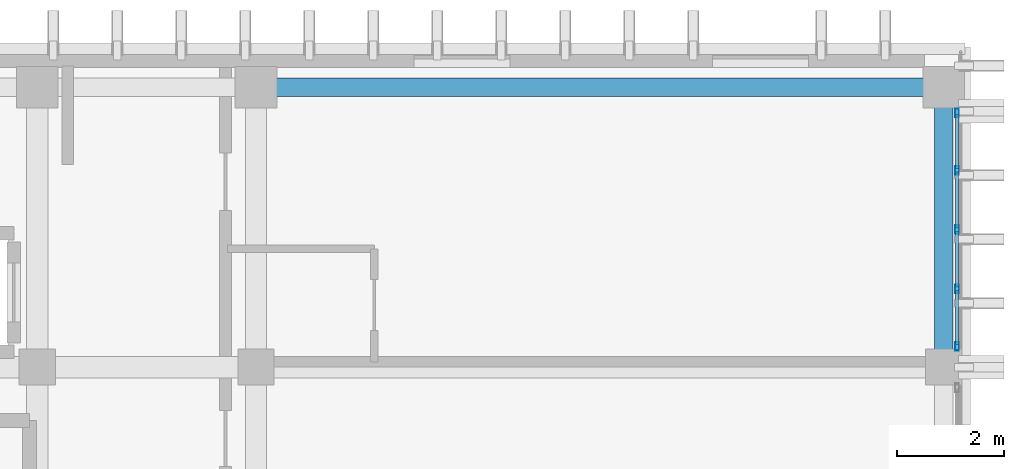
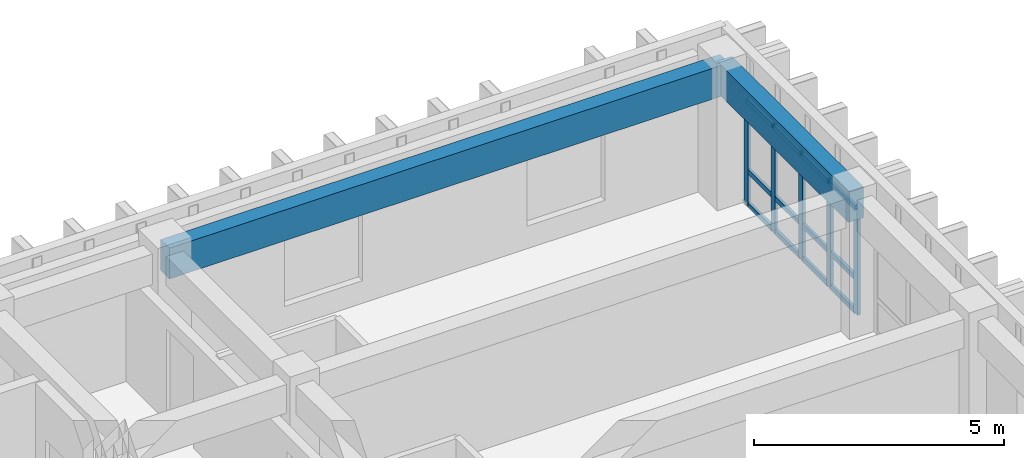
# One storey, part 51 of 68: 17 members, 2 beams, 1 element without a shape of its own.
"""IFC4 building model written with IfcOpenShell, lengths in metres."""

import ifcopenshell
import ifcopenshell.guid

model = None  # the IFC model being written
_history = None  # IfcOwnerHistory: only IFC2X3 demands one
_inside = {}  # id of a spatial element -> (the spatial element, [elements in it])
_under = {}  # id of a project, library or spatial element -> (it, [spatial elements below it])
_declared = {}  # id of a project -> (the project, [libraries it declares])
_typed = {}  # id of a type object -> (the type object, [elements of that type])
_made_of = {}  # id of a material, layer set ... -> (it, [elements and type objects made of it])


def new_model(schema):
    """Start an empty IFC model of exactly this schema.

    Asked for "IFC4X3", IfcOpenShell would pick the latest addendum, in which some entities
    have other attributes; the version numbers below select the first issue.
    IFC2X3 requires an IfcOwnerHistory on every rooted entity: one is made here for all.
    """
    global model, _history
    if schema == "IFC4X3":
        model = ifcopenshell.file(schema_version=(4, 3, 0, 0))
    else:
        model = ifcopenshell.file(schema=schema)
    _inside.clear()
    _under.clear()
    _declared.clear()
    _typed.clear()
    _made_of.clear()
    _history = None
    if model.schema == "IFC2X3":
        org = make("IfcOrganization", Name="unknown")
        user = make(
            "IfcPersonAndOrganization",
            ThePerson=make("IfcPerson", FamilyName="unknown"),
            TheOrganization=org,
        )
        app = make(
            "IfcApplication",
            ApplicationDeveloper=org,
            Version="unknown",
            ApplicationFullName="unknown",
            ApplicationIdentifier="unknown",
        )
        _history = make(
            "IfcOwnerHistory",
            OwningUser=user,
            OwningApplication=app,
            ChangeAction="ADDED",
            CreationDate=0,
        )
    return model


def make(cls, **values):
    """One entity of the class cls with the attributes given. An attribute that is None is left unset."""
    return model.create_entity(
        cls, **{name: value for name, value in values.items() if value is not None}
    )


def rooted(cls, **values):
    """An entity with a GlobalId (a new one), such as an element, a storey or a relation."""
    return make(cls, GlobalId=ifcopenshell.guid.new(), OwnerHistory=_history, **values)


def si_unit(unit_type, name, prefix=None):
    """IfcSIUnit, for example si_unit("LENGTHUNIT", "METRE", prefix="MILLI")."""
    return make("IfcSIUnit", UnitType=unit_type, Prefix=prefix, Name=name)


def assignment(units):
    """IfcUnitAssignment: the units of a project."""
    return None if units is None else make("IfcUnitAssignment", Units=units)


def point(xyz):
    """IfcCartesianPoint."""
    return None if xyz is None else make("IfcCartesianPoint", Coordinates=xyz)


def direction(xyz):
    """IfcDirection."""
    return None if xyz is None else make("IfcDirection", DirectionRatios=xyz)


def frame(location, z_axis=None, x_axis=None):
    """IfcAxis2Placement3D, a coordinate frame: its origin and axes. An axis left out is left unset."""
    return make(
        "IfcAxis2Placement3D",
        Location=point(location),
        Axis=direction(z_axis),
        RefDirection=direction(x_axis),
    )


def frame_2d(location, x_axis=None):
    """IfcAxis2Placement2D, a coordinate frame in the plane: its origin and x axis."""
    return make(
        "IfcAxis2Placement2D", Location=point(location), RefDirection=direction(x_axis)
    )


def origin():
    """The frame at (0, 0, 0) with its axes left unset."""
    return frame((0.0, 0.0, 0.0))


def origin_2d():
    """The frame at (0, 0) in the plane with its x axis left unset."""
    return frame_2d((0.0, 0.0))


def place(relative_to, where):
    """IfcLocalPlacement: puts the frame where relative to a parent placement (None: the world)."""
    return make(
        "IfcLocalPlacement", PlacementRelTo=relative_to, RelativePlacement=where
    )


def context(
    kind, dimensions, precision=None, world=None, true_north=None, identifier=None
):
    """IfcGeometricRepresentationContext, for example the 3D "Model" context."""
    return make(
        "IfcGeometricRepresentationContext",
        ContextIdentifier=identifier,
        ContextType=kind,
        CoordinateSpaceDimension=dimensions,
        Precision=precision,
        WorldCoordinateSystem=world,
        TrueNorth=true_north,
    )


def subcontext(parent, identifier, kind, view, scale=None):
    """IfcGeometricRepresentationSubContext, for example "Body" below "Model"."""
    return make(
        "IfcGeometricRepresentationSubContext",
        ContextIdentifier=identifier,
        ContextType=kind,
        ParentContext=parent,
        TargetScale=scale,
        TargetView=view,
    )


def project(units=None, contexts=None):
    """IfcProject with its units and contexts."""
    return rooted(
        "IfcProject",
        Name="project",
        RepresentationContexts=contexts,
        UnitsInContext=assignment(units),
    )


def spatial(cls, under=None, at=None, **own):
    """A site, building, storey or space (cls), placed at a placement, below another one or the project."""
    s = rooted(cls, ObjectPlacement=at, **own)
    if under is not None:
        _under.setdefault(under.id(), (under, []))[1].append(s)
    return s


def profile(cls, at=None, kind="AREA", **sizes):
    """A parametric profile (cls). Its sizes go by their IFC names, for example OverallWidth=200.0."""
    return make(cls, ProfileType=kind, Position=at, **sizes)


def rectangle(**sizes):
    """IfcRectangleProfileDef."""
    return profile("IfcRectangleProfileDef", **sizes)


def hollow_rectangle(**sizes):
    """IfcRectangleHollowProfileDef."""
    return profile("IfcRectangleHollowProfileDef", **sizes)


def extrude(swept, where, along, depth):
    """IfcExtrudedAreaSolid: the profile swept, set in the frame where, extruded along a direction by depth."""
    return make(
        "IfcExtrudedAreaSolid",
        SweptArea=swept,
        Position=where,
        ExtrudedDirection=direction(along),
        Depth=depth,
    )


def shape(context_of_items, identifier, shape_type, items):
    """IfcShapeRepresentation: the items that make up one representation, for example the "Body"."""
    return make(
        "IfcShapeRepresentation",
        ContextOfItems=context_of_items,
        RepresentationIdentifier=identifier,
        RepresentationType=shape_type,
        Items=items,
    )


def material(Name=None, Category=None):
    """IfcMaterial."""
    return make("IfcMaterial", Name=Name, Category=Category)


def layer(
    of_material, thickness, ventilated=None, Name=None, Category=None, Priority=None
):
    """IfcMaterialLayer: one layer of a wall or slab, of a material (None: an air gap)."""
    return make(
        "IfcMaterialLayer",
        Material=of_material,
        LayerThickness=thickness,
        IsVentilated=ventilated,
        Name=Name,
        Category=Category,
        Priority=Priority,
    )


def layer_set(layers, Name=None):
    """IfcMaterialLayerSet."""
    return make("IfcMaterialLayerSet", MaterialLayers=layers, LayerSetName=Name)


def material_profile(
    of_material, cross_section, Name=None, Category=None, Priority=None
):
    """IfcMaterialProfile: a cross section and its material."""
    return make(
        "IfcMaterialProfile",
        Name=Name,
        Material=of_material,
        Profile=cross_section,
        Priority=Priority,
        Category=Category,
    )


def profile_set(profiles, Name=None, composite=None):
    """IfcMaterialProfileSet."""
    return make(
        "IfcMaterialProfileSet",
        Name=Name,
        MaterialProfiles=profiles,
        CompositeProfile=composite,
    )


def made_of(thing, what):
    """Note that an element or type object is made of a material, layer set ...; save() writes the relation."""
    if what is not None:
        _made_of.setdefault(what.id(), (what, []))[1].append(thing)
    return thing


def type_object(cls, material=None, **own):
    """A type object (cls), such as IfcWallType, which elements share."""
    return made_of(rooted(cls, **own), material)


def element(
    cls,
    number,
    at=None,
    inside=None,
    cuts=None,
    type_object=None,
    material=None,
    context=None,
    identifier="Body",
    shape_type=None,
    held_by="IfcProductDefinitionShape",
    body=None,
    shapes=None,
    **own,
):
    """One element of the class cls, such as IfcWall. Its Tag is "e" and its number.

    at: its placement. inside: the storey or other place that contains it. cuts: it is an
    opening in that element (IfcRelVoidsElement). A single representation is given by context,
    identifier, shape_type and body (its items); several are given by shapes. held_by: the class
    of the entity that holds the representations. save() writes the other relations.
    """
    e = rooted(cls, Tag="e%d" % number, ObjectPlacement=at, **own)
    if body is not None:
        shapes = [shape(context, identifier, shape_type, body)]
    if shapes is not None:
        e.Representation = make(held_by, Representations=shapes)
    if inside is not None:
        _inside.setdefault(inside.id(), (inside, []))[1].append(e)
    if cuts is not None:
        rooted(
            "IfcRelVoidsElement", RelatingBuildingElement=cuts, RelatedOpeningElement=e
        )
    if type_object is not None:
        _typed.setdefault(type_object.id(), (type_object, []))[1].append(e)
    return made_of(e, material)


def aggregate(whole, parts):
    """IfcRelAggregates: a whole, such as a stair, and the parts it consists of."""
    return rooted("IfcRelAggregates", RelatingObject=whole, RelatedObjects=parts)


def save(model, path):
    """Write the relations noted so far, then the file.

    IfcRelAggregates (storeys below a building ...), IfcRelContainedInSpatialStructure (elements
    in a storey), IfcRelDefinesByType, IfcRelAssociatesMaterial and IfcRelDeclares: one each for
    every whole, place, type object, material and project.
    """
    for whole, parts in _under.values():
        aggregate(whole, parts)
    for where, things in _inside.values():
        rooted(
            "IfcRelContainedInSpatialStructure",
            RelatedElements=things,
            RelatingStructure=where,
        )
    for kind, things in _typed.values():
        rooted("IfcRelDefinesByType", RelatedObjects=things, RelatingType=kind)
    for what, things in _made_of.values():
        rooted("IfcRelAssociatesMaterial", RelatedObjects=things, RelatingMaterial=what)
    for by, libraries in _declared.values():
        rooted("IfcRelDeclares", RelatingContext=by, RelatedDefinitions=libraries)
    model.write(path)


model = new_model("IFC4")

# Units and contexts
model_context = context("Model", 3, precision=1e-05, world=origin(), true_north=direction((0.0, 1.0)))
body_context = subcontext(model_context, "Body", "Model", "MODEL_VIEW")
ifc_project = project(units=[si_unit("LENGTHUNIT", "METRE"), si_unit("AREAUNIT", "SQUARE_METRE"), si_unit("VOLUMEUNIT", "CUBIC_METRE"), si_unit("PLANEANGLEUNIT", "RADIAN"), si_unit("MASSUNIT", "GRAM", prefix="KILO")], contexts=[model_context])

# Site, building, storey
site_placement = place(None, origin())
site = spatial("IfcSite", under=ifc_project, at=site_placement, CompositionType="ELEMENT")
building_placement = place(site_placement, origin())
building = spatial("IfcBuilding", under=site, at=building_placement, Name="Nakhvara Creek Congress Hotel", CompositionType="ELEMENT")
storey_placement = place(building_placement, frame((0.0, 0.0, 24.60009765625)))
storey = spatial("IfcBuildingStorey", under=building, at=storey_placement, Name="L05", CompositionType="ELEMENT", Elevation=24.60009765625)

# Beams
ifc_material_1 = material(Name="Concrete C40/50", Category="concrete")
ifc_material_profile_1 = material_profile(ifc_material_1, rectangle(XDim=0.35009765625, YDim=0.75, at=origin_2d()), Name="RC-SPANDREL 350x750", Category="LoadBearing")
ifc_profile_set_1 = profile_set([ifc_material_profile_1], Name="Concrete C40/50")
beam_type = type_object("IfcBeamType", Name="BM-SPN-350X750", PredefinedType="SPANDREL", material=ifc_profile_set_1)
beam_1_placement = place(storey_placement, frame((166.449951171875, 125.25, 2.96484375), z_axis=(1.0, 0.0, 0.0), x_axis=(0.0, 1.0, 0.0)))
element("IfcBeam", 1, at=beam_1_placement, inside=storey, type_object=beam_type, Name="Beam SP1-L05-2145", PredefinedType="SPANDREL", context=body_context, shape_type="SweptSolid", body=[
    extrude(rectangle(XDim=0.35009765625, YDim=0.75, at=origin_2d()), origin(), (0.0, 0.0, 1.0), 12.900146484375),
])
beam_2_placement = place(storey_placement, frame((179.35009765625, 120.0, 2.96484375), z_axis=(0.0, 1.0, 0.0), x_axis=(-1.0, 0.0, 0.0)))
element("IfcBeam", 2, at=beam_2_placement, inside=storey, type_object=beam_type, Name="Beam SP1-L05-2166", PredefinedType="SPANDREL", context=body_context, shape_type="SweptSolid", body=[
    extrude(rectangle(XDim=0.35009765625, YDim=0.75, at=origin_2d()), origin(), (0.0, 0.0, 1.0), 5.25),
])

# Curtain wall, members
ifc_material_2 = material(Name="Bronze-anodised aluminium AW-6063-T6 and double-silver low-E glass", Category="aluminium")
ifc_layer = layer(ifc_material_2, 0.199951171875)
ifc_layer_set = layer_set([ifc_layer], Name="Bronze-anodised aluminium AW-6063-T6 and double-silver low-E glass")
curtain_wall_type = type_object("IfcCurtainWallType", Name="CW-HTL-UNIT", PredefinedType="USERDEFINED", material=ifc_layer_set)
curtain_wall_placement = place(storey_placement, origin())
curtain_wall = element("IfcCurtainWall", 3, at=curtain_wall_placement, inside=storey, type_object=curtain_wall_type, Name="Curtain Wall CW228", ObjectType="UNITISED", PredefinedType="USERDEFINED")
ifc_material_3 = material(Name="Bronze-anodised aluminium AW-6063-T6", Category="aluminium")
ifc_material_profile_2 = material_profile(ifc_material_3, hollow_rectangle(XDim=0.06494140625, YDim=0.159912109375, WallThickness=0.00390625, at=origin_2d()), Name="ALU-MULL 65x160x4", Category="LoadBearing")
ifc_profile_set_2 = profile_set([ifc_material_profile_2], Name="Bronze-anodised aluminium AW-6063-T6")
member_type_1 = type_object("IfcMemberType", Name="CW-MULL-160", PredefinedType="MULLION", material=ifc_profile_set_2)
member_1_placement = place(storey_placement, frame((179.60009765625, 124.767578125, 0.0), z_axis=(0.0, 0.0, 1.0), x_axis=(1.0, 0.0, 0.0)))
member_1 = element("IfcMember", 4, at=member_1_placement, type_object=member_type_1, Name="CW228 mullion 1", PredefinedType="MULLION", context=body_context, shape_type="SweptSolid", body=[
    extrude(hollow_rectangle(XDim=0.06494140625, YDim=0.159912109375, WallThickness=0.00390625, at=origin_2d()), origin(), (0.0, 0.0, 1.0), 2.581787109375),
])
member_2_placement = place(storey_placement, frame((179.60009765625, 123.688720703125, 0.0), z_axis=(0.0, 0.0, 1.0), x_axis=(1.0, 0.0, 0.0)))
member_2 = element("IfcMember", 5, at=member_2_placement, type_object=member_type_1, Name="CW228 mullion 2", PredefinedType="MULLION", context=body_context, shape_type="SweptSolid", body=[
    extrude(hollow_rectangle(XDim=0.06494140625, YDim=0.159912109375, WallThickness=0.00390625, at=origin_2d()), origin(), (0.0, 0.0, 1.0), 2.581787109375),
])
member_3_placement = place(storey_placement, frame((179.60009765625, 122.577392578125, 0.0), z_axis=(0.0, 0.0, 1.0), x_axis=(1.0, 0.0, 0.0)))
member_3 = element("IfcMember", 6, at=member_3_placement, type_object=member_type_1, Name="CW228 mullion 3", PredefinedType="MULLION", context=body_context, shape_type="SweptSolid", body=[
    extrude(hollow_rectangle(XDim=0.06494140625, YDim=0.159912109375, WallThickness=0.00390625, at=origin_2d()), origin(), (0.0, 0.0, 1.0), 2.581787109375),
])
member_4_placement = place(storey_placement, frame((179.60009765625, 121.46630859375, 0.0), z_axis=(0.0, 0.0, 1.0), x_axis=(1.0, 0.0, 0.0)))
member_4 = element("IfcMember", 7, at=member_4_placement, type_object=member_type_1, Name="CW228 mullion 4", PredefinedType="MULLION", context=body_context, shape_type="SweptSolid", body=[
    extrude(hollow_rectangle(XDim=0.06494140625, YDim=0.159912109375, WallThickness=0.00390625, at=origin_2d()), origin(), (0.0, 0.0, 1.0), 2.581787109375),
])
member_5_placement = place(storey_placement, frame((179.60009765625, 120.387451171875, 0.0), z_axis=(0.0, 0.0, 1.0), x_axis=(1.0, 0.0, 0.0)))
member_5 = element("IfcMember", 8, at=member_5_placement, type_object=member_type_1, Name="CW228 mullion 5", PredefinedType="MULLION", context=body_context, shape_type="SweptSolid", body=[
    extrude(hollow_rectangle(XDim=0.06494140625, YDim=0.159912109375, WallThickness=0.00390625, at=origin_2d()), origin(), (0.0, 0.0, 1.0), 2.581787109375),
])
ifc_material_profile_3 = material_profile(ifc_material_3, hollow_rectangle(XDim=0.06494140625, YDim=0.1201171875, WallThickness=0.00390625, at=origin_2d()), Name="ALU-TRAN 65x120x4", Category="LoadBearing")
ifc_profile_set_3 = profile_set([ifc_material_profile_3], Name="Bronze-anodised aluminium AW-6063-T6")
member_type_2 = type_object("IfcMemberType", Name="CW-TRAN-120", PredefinedType="USERDEFINED", material=ifc_profile_set_3)
member_6_placement = place(storey_placement, frame((179.60009765625, 124.735107421875, 0.032470703125), z_axis=(0.0, -1.0, 0.0), x_axis=(1.0, 0.0, 0.0)))
member_6 = element("IfcMember", 9, at=member_6_placement, type_object=member_type_2, Name="CW228 transom 1.1", ObjectType="TRANSOM", PredefinedType="USERDEFINED", context=body_context, shape_type="SweptSolid", body=[
    extrude(hollow_rectangle(XDim=0.06494140625, YDim=0.1201171875, WallThickness=0.00390625, at=origin_2d()), origin(), (0.0, 0.0, 1.0), 1.013916015625),
])
member_7_placement = place(storey_placement, frame((179.60009765625, 124.735107421875, 0.849853515625), z_axis=(0.0, -1.0, 0.0), x_axis=(1.0, 0.0, 0.0)))
member_7 = element("IfcMember", 10, at=member_7_placement, type_object=member_type_2, Name="CW228 transom 1.2", ObjectType="TRANSOM", PredefinedType="USERDEFINED", context=body_context, shape_type="SweptSolid", body=[
    extrude(hollow_rectangle(XDim=0.06494140625, YDim=0.1201171875, WallThickness=0.00390625, at=origin_2d()), origin(), (0.0, 0.0, 1.0), 1.013916015625),
])
member_8_placement = place(storey_placement, frame((179.60009765625, 124.735107421875, 2.54931640625), z_axis=(0.0, -1.0, 0.0), x_axis=(1.0, 0.0, 0.0)))
member_8 = element("IfcMember", 11, at=member_8_placement, type_object=member_type_2, Name="CW228 transom 1.3", ObjectType="TRANSOM", PredefinedType="USERDEFINED", context=body_context, shape_type="SweptSolid", body=[
    extrude(hollow_rectangle(XDim=0.06494140625, YDim=0.1201171875, WallThickness=0.00390625, at=origin_2d()), origin(), (0.0, 0.0, 1.0), 1.013916015625),
])
member_9_placement = place(storey_placement, frame((179.60009765625, 123.65625, 0.032470703125), z_axis=(0.0, -1.0, 0.0), x_axis=(1.0, 0.0, 0.0)))
member_9 = element("IfcMember", 12, at=member_9_placement, type_object=member_type_2, Name="CW228 transom 2.1", ObjectType="TRANSOM", PredefinedType="USERDEFINED", context=body_context, shape_type="SweptSolid", body=[
    extrude(hollow_rectangle(XDim=0.06494140625, YDim=0.1201171875, WallThickness=0.00390625, at=origin_2d()), origin(), (0.0, 0.0, 1.0), 1.046142578125),
])
member_10_placement = place(storey_placement, frame((179.60009765625, 123.65625, 0.849853515625), z_axis=(0.0, -1.0, 0.0), x_axis=(1.0, 0.0, 0.0)))
member_10 = element("IfcMember", 13, at=member_10_placement, type_object=member_type_2, Name="CW228 transom 2.2", ObjectType="TRANSOM", PredefinedType="USERDEFINED", context=body_context, shape_type="SweptSolid", body=[
    extrude(hollow_rectangle(XDim=0.06494140625, YDim=0.1201171875, WallThickness=0.00390625, at=origin_2d()), origin(), (0.0, 0.0, 1.0), 1.046142578125),
])
member_11_placement = place(storey_placement, frame((179.60009765625, 123.65625, 2.54931640625), z_axis=(0.0, -1.0, 0.0), x_axis=(1.0, 0.0, 0.0)))
member_11 = element("IfcMember", 14, at=member_11_placement, type_object=member_type_2, Name="CW228 transom 2.3", ObjectType="TRANSOM", PredefinedType="USERDEFINED", context=body_context, shape_type="SweptSolid", body=[
    extrude(hollow_rectangle(XDim=0.06494140625, YDim=0.1201171875, WallThickness=0.00390625, at=origin_2d()), origin(), (0.0, 0.0, 1.0), 1.046142578125),
])
member_12_placement = place(storey_placement, frame((179.60009765625, 122.544921875, 0.032470703125), z_axis=(0.0, -1.0, 0.0), x_axis=(1.0, 0.0, 0.0)))
member_12 = element("IfcMember", 15, at=member_12_placement, type_object=member_type_2, Name="CW228 transom 3.1", ObjectType="TRANSOM", PredefinedType="USERDEFINED", context=body_context, shape_type="SweptSolid", body=[
    extrude(hollow_rectangle(XDim=0.06494140625, YDim=0.1201171875, WallThickness=0.00390625, at=origin_2d()), origin(), (0.0, 0.0, 1.0), 1.046142578125),
])
member_13_placement = place(storey_placement, frame((179.60009765625, 122.544921875, 0.849853515625), z_axis=(0.0, -1.0, 0.0), x_axis=(1.0, 0.0, 0.0)))
member_13 = element("IfcMember", 16, at=member_13_placement, type_object=member_type_2, Name="CW228 transom 3.2", ObjectType="TRANSOM", PredefinedType="USERDEFINED", context=body_context, shape_type="SweptSolid", body=[
    extrude(hollow_rectangle(XDim=0.06494140625, YDim=0.1201171875, WallThickness=0.00390625, at=origin_2d()), origin(), (0.0, 0.0, 1.0), 1.046142578125),
])
member_14_placement = place(storey_placement, frame((179.60009765625, 122.544921875, 2.54931640625), z_axis=(0.0, -1.0, 0.0), x_axis=(1.0, 0.0, 0.0)))
member_14 = element("IfcMember", 17, at=member_14_placement, type_object=member_type_2, Name="CW228 transom 3.3", ObjectType="TRANSOM", PredefinedType="USERDEFINED", context=body_context, shape_type="SweptSolid", body=[
    extrude(hollow_rectangle(XDim=0.06494140625, YDim=0.1201171875, WallThickness=0.00390625, at=origin_2d()), origin(), (0.0, 0.0, 1.0), 1.046142578125),
])
member_15_placement = place(storey_placement, frame((179.60009765625, 121.433837890625, 0.032470703125), z_axis=(0.0, -1.0, 0.0), x_axis=(1.0, 0.0, 0.0)))
member_15 = element("IfcMember", 18, at=member_15_placement, type_object=member_type_2, Name="CW228 transom 4.1", ObjectType="TRANSOM", PredefinedType="USERDEFINED", context=body_context, shape_type="SweptSolid", body=[
    extrude(hollow_rectangle(XDim=0.06494140625, YDim=0.1201171875, WallThickness=0.00390625, at=origin_2d()), origin(), (0.0, 0.0, 1.0), 1.013916015625),
])
member_16_placement = place(storey_placement, frame((179.60009765625, 121.433837890625, 0.849853515625), z_axis=(0.0, -1.0, 0.0), x_axis=(1.0, 0.0, 0.0)))
member_16 = element("IfcMember", 19, at=member_16_placement, type_object=member_type_2, Name="CW228 transom 4.2", ObjectType="TRANSOM", PredefinedType="USERDEFINED", context=body_context, shape_type="SweptSolid", body=[
    extrude(hollow_rectangle(XDim=0.06494140625, YDim=0.1201171875, WallThickness=0.00390625, at=origin_2d()), origin(), (0.0, 0.0, 1.0), 1.013916015625),
])
member_17_placement = place(storey_placement, frame((179.60009765625, 121.433837890625, 2.54931640625), z_axis=(0.0, -1.0, 0.0), x_axis=(1.0, 0.0, 0.0)))
member_17 = element("IfcMember", 20, at=member_17_placement, type_object=member_type_2, Name="CW228 transom 4.3", ObjectType="TRANSOM", PredefinedType="USERDEFINED", context=body_context, shape_type="SweptSolid", body=[
    extrude(hollow_rectangle(XDim=0.06494140625, YDim=0.1201171875, WallThickness=0.00390625, at=origin_2d()), origin(), (0.0, 0.0, 1.0), 1.013916015625),
])
aggregate(curtain_wall, [member_1, member_2, member_3, member_4, member_5, member_6, member_7, member_8, member_9, member_10, member_11, member_12, member_13, member_14, member_15, member_16, member_17])

save(model, "model.ifc")
